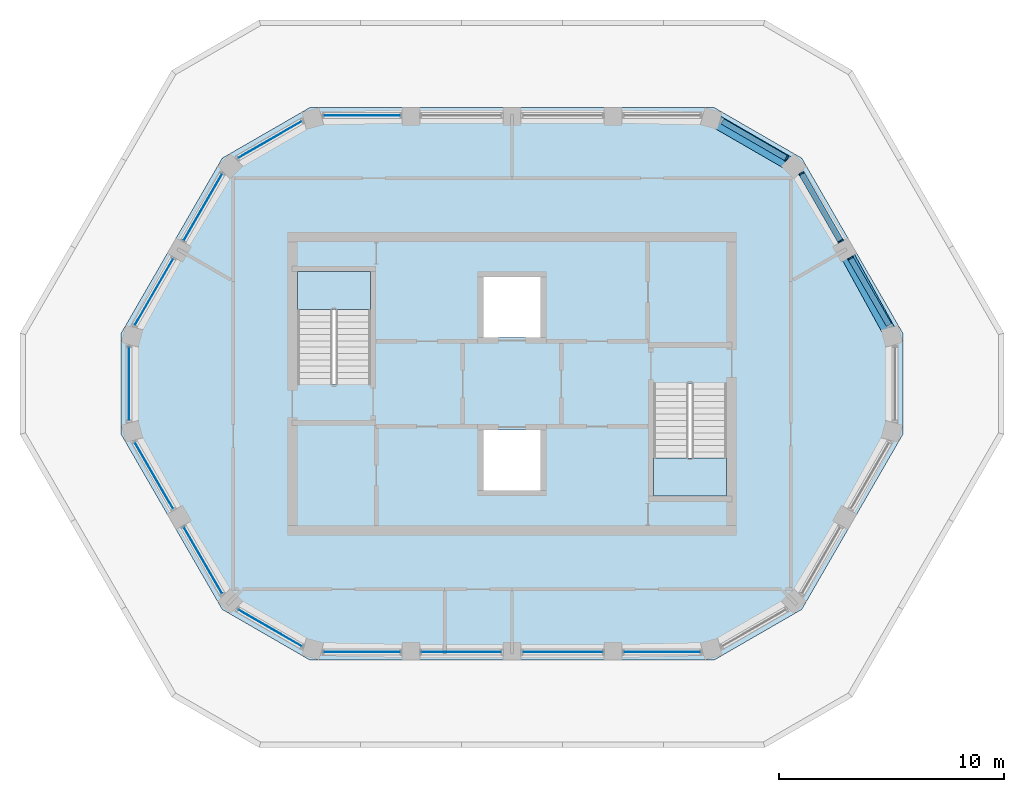
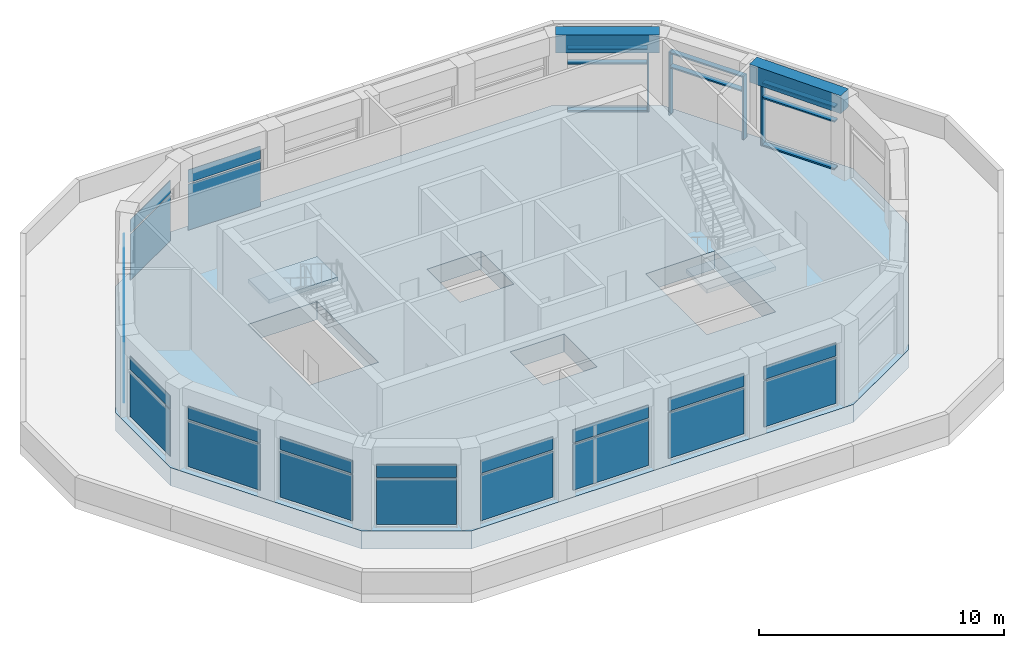
# One storey, part 3 of 8: 24 plates, 12 members, 3 slabs, 2 beams, 17 elements without a shape of their own.
"""IFC4 building model written with IfcOpenShell, lengths in metres."""

from ifc_helpers import new_model, si_unit, direction, frame, origin, origin_2d, place, context, subcontext, project, spatial, polyline, rectangle, outline, extrude, material, layer, layer_set, material_profile, profile_set, type_object, element, aggregate, save


model = new_model("IFC4")

# Units and contexts
model_context = context("Model", 3, precision=1e-05, world=origin(), true_north=direction((0.0, 1.0)))
body_context = subcontext(model_context, "Body", "Model", "MODEL_VIEW")
ifc_project = project(units=[si_unit("LENGTHUNIT", "METRE"), si_unit("AREAUNIT", "SQUARE_METRE"), si_unit("VOLUMEUNIT", "CUBIC_METRE"), si_unit("PLANEANGLEUNIT", "RADIAN"), si_unit("MASSUNIT", "GRAM", prefix="KILO")], contexts=[model_context])

# Site, building, storey
site_placement = place(None, origin())
site = spatial("IfcSite", under=ifc_project, at=site_placement, CompositionType="ELEMENT")
building_placement = place(site_placement, origin())
building = spatial("IfcBuilding", under=site, at=building_placement, Name="Dhurran Vertical Campus", CompositionType="ELEMENT")
storey_placement = place(building_placement, frame((0.0, 0.0, 323.39990234375)))
storey = spatial("IfcBuildingStorey", under=building, at=storey_placement, Name="L79 Plant", CompositionType="ELEMENT", Elevation=323.39990234375)

# Curtain wall, member
ifc_material_1 = material(Name="Aluminium frame with solar-control glass", Category="aluminium")
ifc_layer_1 = layer(ifc_material_1, 0.260009765625)
ifc_layer_set_1 = layer_set([ifc_layer_1], Name="Aluminium frame with solar-control glass")
curtain_wall_type = type_object("IfcCurtainWallType", Name="Crown lantern glazing system", PredefinedType="NOTDEFINED", material=ifc_layer_set_1)
curtain_wall_1_placement = place(storey_placement, origin())
curtain_wall_1 = element("IfcCurtainWall", 1, at=curtain_wall_1_placement, inside=storey, type_object=curtain_wall_type, Name="CW6 L79.08", PredefinedType="NOTDEFINED")
ifc_material_2 = material(Name="Aluminium mullion", Category="aluminium")
ifc_material_profile_1 = material_profile(ifc_material_2, rectangle(XDim=0.260009765625, YDim=0.070068359375, at=origin_2d()), Name="Crown lantern glazing system mullion")
ifc_profile_set_1 = profile_set([ifc_material_profile_1], Name="Aluminium mullion")
member_type_1 = type_object("IfcMemberType", Name="Crown lantern glazing system mullion", PredefinedType="MULLION", material=ifc_profile_set_1)
member_1_placement = place(storey_placement, frame((15.061767578125, 5.594970703125, 0.0), z_axis=(0.0, 0.0, 1.0), x_axis=(-0.866030372825, -0.499991393271, 0.0)))
member_1 = element("IfcMember", 2, at=member_1_placement, type_object=member_type_1, Name="CW6 mullion 2", PredefinedType="MULLION", context=body_context, shape_type="SweptSolid", body=[
    extrude(rectangle(XDim=0.260009765625, YDim=0.070068359375, at=origin_2d()), origin(), (0.0, 0.0, 1.0), 3.150146484375),
])

# Curtain wall, members
curtain_wall_2_placement = place(storey_placement, origin())
curtain_wall_2 = element("IfcCurtainWall", 3, at=curtain_wall_2_placement, inside=storey, type_object=curtain_wall_type, Name="CW6 L79.09", PredefinedType="NOTDEFINED")
member_2_placement = place(storey_placement, frame((14.626220703125, 6.349365234375, 0.0), z_axis=(0.0, 0.0, 1.0), x_axis=(-0.866016292778, -0.500015780395, 0.0)))
member_2 = element("IfcMember", 4, at=member_2_placement, type_object=member_type_1, Name="CW6 mullion 1", PredefinedType="MULLION", context=body_context, shape_type="SweptSolid", body=[
    extrude(rectangle(XDim=0.260009765625, YDim=0.070068359375, at=origin_2d()), origin(), (0.0, 0.0, 1.0), 3.150146484375),
])
member_3_placement = place(storey_placement, frame((12.8857421875, 9.364013671875, 0.0), z_axis=(0.0, 0.0, 1.0), x_axis=(-0.866016292778, -0.500015780395, 0.0)))
member_3 = element("IfcMember", 5, at=member_3_placement, type_object=member_type_1, Name="CW6 mullion 2", PredefinedType="MULLION", context=body_context, shape_type="SweptSolid", body=[
    extrude(rectangle(XDim=0.260009765625, YDim=0.070068359375, at=origin_2d()), origin(), (0.0, 0.0, 1.0), 3.150146484375),
])

# Curtain wall, member
curtain_wall_3_placement = place(storey_placement, origin())
curtain_wall_3 = element("IfcCurtainWall", 6, at=curtain_wall_3_placement, inside=storey, type_object=curtain_wall_type, Name="CW6 L79.10", PredefinedType="NOTDEFINED")
member_4_placement = place(storey_placement, frame((12.217041015625, 10.03271484375, 0.0), z_axis=(0.0, 0.0, 1.0), x_axis=(-0.499991203395, -0.866030482447, 0.0)))
member_4 = element("IfcMember", 7, at=member_4_placement, type_object=member_type_1, Name="CW6 mullion 1", PredefinedType="MULLION", context=body_context, shape_type="SweptSolid", body=[
    extrude(rectangle(XDim=0.260009765625, YDim=0.070068359375, at=origin_2d()), origin(), (0.0, 0.0, 1.0), 3.150146484375),
])

# Member
ifc_material_3 = material(Name="Aluminium transom", Category="aluminium")
ifc_material_profile_2 = material_profile(ifc_material_3, rectangle(XDim=0.260009765625, YDim=0.070068359375, at=origin_2d()), Name="Crown lantern glazing system transom")
ifc_profile_set_2 = profile_set([ifc_material_profile_2], Name="Aluminium transom")
member_type_2 = type_object("IfcMemberType", Name="Crown lantern glazing system transom", PredefinedType="USERDEFINED", material=ifc_profile_set_2)
member_5_placement = place(storey_placement, frame((16.784912109375, 2.6103515625, 0.03515625), z_axis=(-0.499972324094, 0.866041381887, 0.0), x_axis=(-0.866041381887, -0.499972324094, 0.0)))
member_5 = element("IfcMember", 8, at=member_5_placement, type_object=member_type_2, Name="CW6 transom 1.1", ObjectType="TRANSOM", PredefinedType="USERDEFINED", context=body_context, shape_type="SweptSolid", body=[
    extrude(rectangle(XDim=0.260009765625, YDim=0.070068359375, at=origin_2d()), origin(), (0.0, 0.0, 1.0), 3.411376953125),
])

member_6_placement = place(storey_placement, frame((16.784912109375, 2.6103515625, 2.400146484375), z_axis=(-0.499972324094, 0.866041381887, 0.0), x_axis=(-0.866041381887, -0.499972324094, 0.0)))
member_6 = element("IfcMember", 9, at=member_6_placement, type_object=member_type_2, Name="CW6 transom 1.2", ObjectType="TRANSOM", PredefinedType="USERDEFINED", context=body_context, shape_type="SweptSolid", body=[
    extrude(rectangle(XDim=0.260009765625, YDim=0.070068359375, at=origin_2d()), origin(), (0.0, 0.0, 1.0), 3.411376953125),
])

member_7_placement = place(storey_placement, frame((16.784912109375, 2.6103515625, 3.114990234375), z_axis=(-0.499972324094, 0.866041381887, 0.0), x_axis=(-0.866041381887, -0.499972324094, 0.0)))
member_7 = element("IfcMember", 10, at=member_7_placement, type_object=member_type_2, Name="CW6 transom 1.3", ObjectType="TRANSOM", PredefinedType="USERDEFINED", context=body_context, shape_type="SweptSolid", body=[
    extrude(rectangle(XDim=0.260009765625, YDim=0.070068359375, at=origin_2d()), origin(), (0.0, 0.0, 1.0), 3.411376953125),
])

aggregate(curtain_wall_1, [member_1, member_5, member_6, member_7])

member_8_placement = place(storey_placement, frame((14.60888671875, 6.379638671875, 2.400146484375), z_axis=(-0.500003314297, 0.866023490266, 0.0), x_axis=(-0.866023490266, -0.500003314297, 0.0)))
member_8 = element("IfcMember", 11, at=member_8_placement, type_object=member_type_2, Name="CW6 transom 1.2", ObjectType="TRANSOM", PredefinedType="USERDEFINED", context=body_context, shape_type="SweptSolid", body=[
    extrude(rectangle(XDim=0.260009765625, YDim=0.070068359375, at=origin_2d()), origin(), (0.0, 0.0, 1.0), 3.4111328125),
])

member_9_placement = place(storey_placement, frame((14.60888671875, 6.379638671875, 3.114990234375), z_axis=(-0.500003314297, 0.866023490266, 0.0), x_axis=(-0.866023490266, -0.500003314297, 0.0)))
member_9 = element("IfcMember", 12, at=member_9_placement, type_object=member_type_2, Name="CW6 transom 1.3", ObjectType="TRANSOM", PredefinedType="USERDEFINED", context=body_context, shape_type="SweptSolid", body=[
    extrude(rectangle(XDim=0.260009765625, YDim=0.070068359375, at=origin_2d()), origin(), (0.0, 0.0, 1.0), 3.4111328125),
])

aggregate(curtain_wall_2, [member_2, member_3, member_8, member_9])

member_10_placement = place(storey_placement, frame((12.186767578125, 10.05029296875, 0.03515625), z_axis=(-0.866057278891, 0.499944786631, 0.0), x_axis=(-0.499944786631, -0.866057278891, 0.0)))
member_10 = element("IfcMember", 13, at=member_10_placement, type_object=member_type_2, Name="CW6 transom 1.1", ObjectType="TRANSOM", PredefinedType="USERDEFINED", context=body_context, shape_type="SweptSolid", body=[
    extrude(rectangle(XDim=0.260009765625, YDim=0.070068359375, at=origin_2d()), origin(), (0.0, 0.0, 1.0), 3.263427734375),
])

member_11_placement = place(storey_placement, frame((12.186767578125, 10.05029296875, 2.400146484375), z_axis=(-0.866057278891, 0.499944786631, 0.0), x_axis=(-0.499944786631, -0.866057278891, 0.0)))
member_11 = element("IfcMember", 14, at=member_11_placement, type_object=member_type_2, Name="CW6 transom 1.2", ObjectType="TRANSOM", PredefinedType="USERDEFINED", context=body_context, shape_type="SweptSolid", body=[
    extrude(rectangle(XDim=0.260009765625, YDim=0.070068359375, at=origin_2d()), origin(), (0.0, 0.0, 1.0), 3.263427734375),
])

member_12_placement = place(storey_placement, frame((12.186767578125, 10.05029296875, 3.114990234375), z_axis=(-0.866057278891, 0.499944786631, 0.0), x_axis=(-0.499944786631, -0.866057278891, 0.0)))
member_12 = element("IfcMember", 15, at=member_12_placement, type_object=member_type_2, Name="CW6 transom 1.3", ObjectType="TRANSOM", PredefinedType="USERDEFINED", context=body_context, shape_type="SweptSolid", body=[
    extrude(rectangle(XDim=0.260009765625, YDim=0.070068359375, at=origin_2d()), origin(), (0.0, 0.0, 1.0), 3.263427734375),
])

aggregate(curtain_wall_3, [member_4, member_10, member_11, member_12])

# Beams
ifc_material_4 = material(Name="Concrete C40/50", Category="concrete")
ifc_material_profile_3 = material_profile(ifc_material_4, rectangle(XDim=0.60009765625, YDim=0.89990234375, at=origin_2d()), Name="cr/beam/edge")
ifc_profile_set_3 = profile_set([ifc_material_profile_3], Name="Concrete C40/50")
beam_type = type_object("IfcBeamType", Name="cr/beam/edge", PredefinedType="BEAM", material=ifc_profile_set_3)
beam_1_placement = place(storey_placement, frame((16.9072265625, 2.11865234375, 3.60009765625), z_axis=(-0.48206673495, 0.87613450055, 0.0), x_axis=(-0.87613450055, -0.48206673495, 0.0)))
element("IfcBeam", 16, at=beam_1_placement, inside=storey, type_object=beam_type, Name="Crown edge beam L79 9", PredefinedType="BEAM", context=body_context, shape_type="SweptSolid", body=[
    extrude(rectangle(XDim=0.60009765625, YDim=0.89990234375, at=origin_2d()), origin(), (0.0, 0.0, 1.0), 4.36962890625),
])
beam_2_placement = place(storey_placement, frame((12.53857421875, 9.685546875, 3.60009765625), z_axis=(-0.866043595944, 0.499968488931, 0.0), x_axis=(-0.499968488931, -0.866043595944, 0.0)))
element("IfcBeam", 17, at=beam_2_placement, inside=storey, type_object=beam_type, Name="Crown edge beam L79 11", PredefinedType="BEAM", context=body_context, shape_type="SweptSolid", body=[
    extrude(rectangle(XDim=0.60009765625, YDim=0.89990234375, at=origin_2d()), origin(), (0.0, 0.0, 1.0), 4.237548828125),
])

# Curtain wall, plates
curtain_wall_4_placement = place(storey_placement, origin())
curtain_wall_4 = element("IfcCurtainWall", 18, at=curtain_wall_4_placement, inside=storey, type_object=curtain_wall_type, Name="CW6 L79.00", PredefinedType="NOTDEFINED")
ifc_material_5 = material(Name="Clear solar-control glass", Category="glass")
ifc_layer_2 = layer(ifc_material_5, 0.028076171875)
ifc_layer_set_2 = layer_set([ifc_layer_2], Name="Clear solar-control glass")
plate_type = type_object("IfcPlateType", Name="Crown lantern glazing system panel", PredefinedType="CURTAIN_PANEL", material=ifc_layer_set_2)
plate_1_placement = place(storey_placement, frame((-6.676025390625, -11.944091796875, 0.070068359375), z_axis=(0.0, 0.0, 1.0), x_axis=(1.0, 0.0, 0.0)))
plate_1 = element("IfcPlate", 19, at=plate_1_placement, type_object=plate_type, Name="CW6 panel 1.1", PredefinedType="CURTAIN_PANEL", context=body_context, shape_type="SweptSolid", body=[
    extrude(rectangle(XDim=3.4111328125, YDim=0.028076171875, at=origin_2d()), origin(), (0.0, 0.0, 1.0), 2.294921875),
])
plate_2_placement = place(storey_placement, frame((-6.676025390625, -11.944091796875, 2.43505859375), z_axis=(0.0, 0.0, 1.0), x_axis=(1.0, 0.0, 0.0)))
plate_2 = element("IfcPlate", 20, at=plate_2_placement, type_object=plate_type, Name="CW6 panel 1.2", PredefinedType="CURTAIN_PANEL", context=body_context, shape_type="SweptSolid", body=[
    extrude(rectangle(XDim=3.4111328125, YDim=0.028076171875, at=origin_2d()), origin(), (0.0, 0.0, 1.0), 0.64501953125),
])
aggregate(curtain_wall_4, [plate_1, plate_2])

curtain_wall_5_placement = place(storey_placement, origin())
curtain_wall_5 = element("IfcCurtainWall", 21, at=curtain_wall_5_placement, inside=storey, type_object=curtain_wall_type, Name="CW6 L79.01", PredefinedType="NOTDEFINED")
plate_3_placement = place(storey_placement, frame((-2.25, -11.944091796875, 0.070068359375), z_axis=(0.0, 0.0, 1.0), x_axis=(1.0, 0.0, 0.0)))
plate_3 = element("IfcPlate", 22, at=plate_3_placement, type_object=plate_type, Name="CW6 panel 1.1", PredefinedType="CURTAIN_PANEL", context=body_context, shape_type="SweptSolid", body=[
    extrude(rectangle(XDim=3.55908203125, YDim=0.028076171875, at=origin_2d()), origin(), (0.0, 0.0, 1.0), 2.294921875),
])
plate_4_placement = place(storey_placement, frame((-2.25, -11.944091796875, 2.43505859375), z_axis=(0.0, 0.0, 1.0), x_axis=(1.0, 0.0, 0.0)))
plate_4 = element("IfcPlate", 23, at=plate_4_placement, type_object=plate_type, Name="CW6 panel 1.2", PredefinedType="CURTAIN_PANEL", context=body_context, shape_type="SweptSolid", body=[
    extrude(rectangle(XDim=3.55908203125, YDim=0.028076171875, at=origin_2d()), origin(), (0.0, 0.0, 1.0), 0.64501953125),
])
aggregate(curtain_wall_5, [plate_3, plate_4])

curtain_wall_6_placement = place(storey_placement, origin())
curtain_wall_6 = element("IfcCurtainWall", 24, at=curtain_wall_6_placement, inside=storey, type_object=curtain_wall_type, Name="CW6 L79.02", PredefinedType="NOTDEFINED")
plate_5_placement = place(storey_placement, frame((2.25, -11.944091796875, 0.070068359375), z_axis=(0.0, 0.0, 1.0), x_axis=(1.0, 0.0, 0.0)))
plate_5 = element("IfcPlate", 25, at=plate_5_placement, type_object=plate_type, Name="CW6 panel 1.1", PredefinedType="CURTAIN_PANEL", context=body_context, shape_type="SweptSolid", body=[
    extrude(rectangle(XDim=3.55908203125, YDim=0.028076171875, at=origin_2d()), origin(), (0.0, 0.0, 1.0), 2.294921875),
])
plate_6_placement = place(storey_placement, frame((2.25, -11.944091796875, 2.43505859375), z_axis=(0.0, 0.0, 1.0), x_axis=(1.0, 0.0, 0.0)))
plate_6 = element("IfcPlate", 26, at=plate_6_placement, type_object=plate_type, Name="CW6 panel 1.2", PredefinedType="CURTAIN_PANEL", context=body_context, shape_type="SweptSolid", body=[
    extrude(rectangle(XDim=3.55908203125, YDim=0.028076171875, at=origin_2d()), origin(), (0.0, 0.0, 1.0), 0.64501953125),
])
aggregate(curtain_wall_6, [plate_5, plate_6])

curtain_wall_7_placement = place(storey_placement, origin())
curtain_wall_7 = element("IfcCurtainWall", 27, at=curtain_wall_7_placement, inside=storey, type_object=curtain_wall_type, Name="CW6 L79.03", PredefinedType="NOTDEFINED")
plate_7_placement = place(storey_placement, frame((6.676025390625, -11.944091796875, 0.070068359375), z_axis=(0.0, 0.0, 1.0), x_axis=(1.0, 0.0, 0.0)))
plate_7 = element("IfcPlate", 28, at=plate_7_placement, type_object=plate_type, Name="CW6 panel 1.1", PredefinedType="CURTAIN_PANEL", context=body_context, shape_type="SweptSolid", body=[
    extrude(rectangle(XDim=3.4111328125, YDim=0.028076171875, at=origin_2d()), origin(), (0.0, 0.0, 1.0), 2.294921875),
])
plate_8_placement = place(storey_placement, frame((6.676025390625, -11.944091796875, 2.43505859375), z_axis=(0.0, 0.0, 1.0), x_axis=(1.0, 0.0, 0.0)))
plate_8 = element("IfcPlate", 29, at=plate_8_placement, type_object=plate_type, Name="CW6 panel 1.2", PredefinedType="CURTAIN_PANEL", context=body_context, shape_type="SweptSolid", body=[
    extrude(rectangle(XDim=3.4111328125, YDim=0.028076171875, at=origin_2d()), origin(), (0.0, 0.0, 1.0), 0.64501953125),
])
aggregate(curtain_wall_7, [plate_7, plate_8])

curtain_wall_8_placement = place(storey_placement, origin())
curtain_wall_8 = element("IfcCurtainWall", 30, at=curtain_wall_8_placement, inside=storey, type_object=curtain_wall_type, Name="CW6 L79.14", PredefinedType="NOTDEFINED")
plate_9_placement = place(storey_placement, frame((-6.676025390625, 11.944091796875, 0.070068359375), z_axis=(0.0, 0.0, 1.0), x_axis=(-1.0, 0.0, 0.0)))
plate_9 = element("IfcPlate", 31, at=plate_9_placement, type_object=plate_type, Name="CW6 panel 1.1", PredefinedType="CURTAIN_PANEL", context=body_context, shape_type="SweptSolid", body=[
    extrude(rectangle(XDim=3.4111328125, YDim=0.028076171875, at=origin_2d()), origin(), (0.0, 0.0, 1.0), 2.294921875),
])
plate_10_placement = place(storey_placement, frame((-6.676025390625, 11.944091796875, 2.43505859375), z_axis=(0.0, 0.0, 1.0), x_axis=(-1.0, 0.0, 0.0)))
plate_10 = element("IfcPlate", 32, at=plate_10_placement, type_object=plate_type, Name="CW6 panel 1.2", PredefinedType="CURTAIN_PANEL", context=body_context, shape_type="SweptSolid", body=[
    extrude(rectangle(XDim=3.4111328125, YDim=0.028076171875, at=origin_2d()), origin(), (0.0, 0.0, 1.0), 0.64501953125),
])
aggregate(curtain_wall_8, [plate_9, plate_10])

curtain_wall_9_placement = place(storey_placement, origin())
curtain_wall_9 = element("IfcCurtainWall", 33, at=curtain_wall_9_placement, inside=storey, type_object=curtain_wall_type, Name="CW6 L79.15", PredefinedType="NOTDEFINED")
plate_11_placement = place(storey_placement, frame((-10.7734375, 10.8662109375, 0.070068359375), z_axis=(0.0, 0.0, 1.0), x_axis=(-0.866030482447, -0.499991203395, 0.0)))
plate_11 = element("IfcPlate", 34, at=plate_11_placement, type_object=plate_type, Name="CW6 panel 1.1", PredefinedType="CURTAIN_PANEL", context=body_context, shape_type="SweptSolid", body=[
    extrude(rectangle(XDim=3.263427734375, YDim=0.028076171875, at=origin_2d()), origin(), (0.0, 0.0, 1.0), 2.294921875),
])
plate_12_placement = place(storey_placement, frame((-10.7734375, 10.8662109375, 2.43505859375), z_axis=(0.0, 0.0, 1.0), x_axis=(-0.866030482447, -0.499991203395, 0.0)))
plate_12 = element("IfcPlate", 35, at=plate_12_placement, type_object=plate_type, Name="CW6 panel 1.2", PredefinedType="CURTAIN_PANEL", context=body_context, shape_type="SweptSolid", body=[
    extrude(rectangle(XDim=3.263427734375, YDim=0.028076171875, at=origin_2d()), origin(), (0.0, 0.0, 1.0), 0.64501953125),
])
aggregate(curtain_wall_9, [plate_11, plate_12])

curtain_wall_10_placement = place(storey_placement, origin())
curtain_wall_10 = element("IfcCurtainWall", 36, at=curtain_wall_10_placement, inside=storey, type_object=curtain_wall_type, Name="CW6 L79.16", PredefinedType="NOTDEFINED")
plate_13_placement = place(storey_placement, frame((-13.756103515625, 7.856689453125, 0.070068359375), z_axis=(0.0, 0.0, 1.0), x_axis=(-0.500015780395, -0.866016292778, 0.0)))
plate_13 = element("IfcPlate", 37, at=plate_13_placement, type_object=plate_type, Name="CW6 panel 1.1", PredefinedType="CURTAIN_PANEL", context=body_context, shape_type="SweptSolid", body=[
    extrude(rectangle(XDim=3.4111328125, YDim=0.028076171875, at=origin_2d()), origin(), (0.0, 0.0, 1.0), 2.294921875),
])
plate_14_placement = place(storey_placement, frame((-13.756103515625, 7.856689453125, 2.43505859375), z_axis=(0.0, 0.0, 1.0), x_axis=(-0.500015780395, -0.866016292778, 0.0)))
plate_14 = element("IfcPlate", 38, at=plate_14_placement, type_object=plate_type, Name="CW6 panel 1.2", PredefinedType="CURTAIN_PANEL", context=body_context, shape_type="SweptSolid", body=[
    extrude(rectangle(XDim=3.4111328125, YDim=0.028076171875, at=origin_2d()), origin(), (0.0, 0.0, 1.0), 0.64501953125),
])
aggregate(curtain_wall_10, [plate_13, plate_14])

curtain_wall_11_placement = place(storey_placement, origin())
curtain_wall_11 = element("IfcCurtainWall", 39, at=curtain_wall_11_placement, inside=storey, type_object=curtain_wall_type, Name="CW6 L79.17", PredefinedType="NOTDEFINED")
plate_15_placement = place(storey_placement, frame((-15.93212890625, 4.087646484375, 0.070068359375), z_axis=(0.0, 0.0, 1.0), x_axis=(-0.499991393271, -0.866030372825, 0.0)))
plate_15 = element("IfcPlate", 40, at=plate_15_placement, type_object=plate_type, Name="CW6 panel 1.1", PredefinedType="CURTAIN_PANEL", context=body_context, shape_type="SweptSolid", body=[
    extrude(rectangle(XDim=3.411376953125, YDim=0.028076171875, at=origin_2d()), origin(), (0.0, 0.0, 1.0), 2.294921875),
])
plate_16_placement = place(storey_placement, frame((-15.93212890625, 4.087646484375, 2.43505859375), z_axis=(0.0, 0.0, 1.0), x_axis=(-0.499991393271, -0.866030372825, 0.0)))
plate_16 = element("IfcPlate", 41, at=plate_16_placement, type_object=plate_type, Name="CW6 panel 1.2", PredefinedType="CURTAIN_PANEL", context=body_context, shape_type="SweptSolid", body=[
    extrude(rectangle(XDim=3.411376953125, YDim=0.028076171875, at=origin_2d()), origin(), (0.0, 0.0, 1.0), 0.64501953125),
])
aggregate(curtain_wall_11, [plate_15, plate_16])

curtain_wall_12_placement = place(storey_placement, origin())
curtain_wall_12 = element("IfcCurtainWall", 42, at=curtain_wall_12_placement, inside=storey, type_object=curtain_wall_type, Name="CW6 L79.18", PredefinedType="NOTDEFINED")
plate_17_placement = place(storey_placement, frame((-17.047119140625, 0.0, 0.070068359375), z_axis=(0.0, 0.0, 1.0), x_axis=(0.0, -1.0, 0.0)))
plate_17 = element("IfcPlate", 43, at=plate_17_placement, type_object=plate_type, Name="CW6 panel 1.1", PredefinedType="CURTAIN_PANEL", context=body_context, shape_type="SweptSolid", body=[
    extrude(rectangle(XDim=3.26318359375, YDim=0.028076171875, at=origin_2d()), origin(), (0.0, 0.0, 1.0), 2.294921875),
])
plate_18_placement = place(storey_placement, frame((-17.047119140625, 0.0, 2.43505859375), z_axis=(0.0, 0.0, 1.0), x_axis=(0.0, -1.0, 0.0)))
plate_18 = element("IfcPlate", 44, at=plate_18_placement, type_object=plate_type, Name="CW6 panel 1.2", PredefinedType="CURTAIN_PANEL", context=body_context, shape_type="SweptSolid", body=[
    extrude(rectangle(XDim=3.26318359375, YDim=0.028076171875, at=origin_2d()), origin(), (0.0, 0.0, 1.0), 0.64501953125),
])
aggregate(curtain_wall_12, [plate_17, plate_18])

curtain_wall_13_placement = place(storey_placement, origin())
curtain_wall_13 = element("IfcCurtainWall", 45, at=curtain_wall_13_placement, inside=storey, type_object=curtain_wall_type, Name="CW6 L79.19", PredefinedType="NOTDEFINED")
plate_19_placement = place(storey_placement, frame((-15.93212890625, -4.087646484375, 0.070068359375), z_axis=(0.0, 0.0, 1.0), x_axis=(0.499991393271, -0.866030372825, 0.0)))
plate_19 = element("IfcPlate", 46, at=plate_19_placement, type_object=plate_type, Name="CW6 panel 1.1", PredefinedType="CURTAIN_PANEL", context=body_context, shape_type="SweptSolid", body=[
    extrude(rectangle(XDim=3.411376953125, YDim=0.028076171875, at=origin_2d()), origin(), (0.0, 0.0, 1.0), 2.294921875),
])
plate_20_placement = place(storey_placement, frame((-15.93212890625, -4.087646484375, 2.43505859375), z_axis=(0.0, 0.0, 1.0), x_axis=(0.499991393271, -0.866030372825, 0.0)))
plate_20 = element("IfcPlate", 47, at=plate_20_placement, type_object=plate_type, Name="CW6 panel 1.2", PredefinedType="CURTAIN_PANEL", context=body_context, shape_type="SweptSolid", body=[
    extrude(rectangle(XDim=3.411376953125, YDim=0.028076171875, at=origin_2d()), origin(), (0.0, 0.0, 1.0), 0.64501953125),
])
aggregate(curtain_wall_13, [plate_19, plate_20])

curtain_wall_14_placement = place(storey_placement, origin())
curtain_wall_14 = element("IfcCurtainWall", 48, at=curtain_wall_14_placement, inside=storey, type_object=curtain_wall_type, Name="CW6 L79.20", PredefinedType="NOTDEFINED")
plate_21_placement = place(storey_placement, frame((-13.756103515625, -7.856689453125, 0.070068359375), z_axis=(0.0, 0.0, 1.0), x_axis=(0.500015780395, -0.866016292778, 0.0)))
plate_21 = element("IfcPlate", 49, at=plate_21_placement, type_object=plate_type, Name="CW6 panel 1.1", PredefinedType="CURTAIN_PANEL", context=body_context, shape_type="SweptSolid", body=[
    extrude(rectangle(XDim=3.4111328125, YDim=0.028076171875, at=origin_2d()), origin(), (0.0, 0.0, 1.0), 2.294921875),
])
plate_22_placement = place(storey_placement, frame((-13.756103515625, -7.856689453125, 2.43505859375), z_axis=(0.0, 0.0, 1.0), x_axis=(0.500015780395, -0.866016292778, 0.0)))
plate_22 = element("IfcPlate", 50, at=plate_22_placement, type_object=plate_type, Name="CW6 panel 1.2", PredefinedType="CURTAIN_PANEL", context=body_context, shape_type="SweptSolid", body=[
    extrude(rectangle(XDim=3.4111328125, YDim=0.028076171875, at=origin_2d()), origin(), (0.0, 0.0, 1.0), 0.64501953125),
])
aggregate(curtain_wall_14, [plate_21, plate_22])

curtain_wall_15_placement = place(storey_placement, origin())
curtain_wall_15 = element("IfcCurtainWall", 51, at=curtain_wall_15_placement, inside=storey, type_object=curtain_wall_type, Name="CW6 L79.21", PredefinedType="NOTDEFINED")
plate_23_placement = place(storey_placement, frame((-10.7734375, -10.8662109375, 0.070068359375), z_axis=(0.0, 0.0, 1.0), x_axis=(0.866030482447, -0.499991203395, 0.0)))
plate_23 = element("IfcPlate", 52, at=plate_23_placement, type_object=plate_type, Name="CW6 panel 1.1", PredefinedType="CURTAIN_PANEL", context=body_context, shape_type="SweptSolid", body=[
    extrude(rectangle(XDim=3.263427734375, YDim=0.028076171875, at=origin_2d()), origin(), (0.0, 0.0, 1.0), 2.294921875),
])
plate_24_placement = place(storey_placement, frame((-10.7734375, -10.8662109375, 2.43505859375), z_axis=(0.0, 0.0, 1.0), x_axis=(0.866030482447, -0.499991203395, 0.0)))
plate_24 = element("IfcPlate", 53, at=plate_24_placement, type_object=plate_type, Name="CW6 panel 1.2", PredefinedType="CURTAIN_PANEL", context=body_context, shape_type="SweptSolid", body=[
    extrude(rectangle(XDim=3.263427734375, YDim=0.028076171875, at=origin_2d()), origin(), (0.0, 0.0, 1.0), 0.64501953125),
])
aggregate(curtain_wall_15, [plate_23, plate_24])

# Stair, slab
ifc_material_6 = material(Name="Concrete C40/50", Category="concrete")
stair_type = type_object("IfcStairType", Name="co-ST-CORE", PredefinedType="HALF_TURN_STAIR", material=ifc_material_6)
stair_1_placement = place(storey_placement, origin())
stair_1 = element("IfcStair", 54, at=stair_1_placement, inside=storey, type_object=stair_type, Name="L79 Plant Protected exit stair ST5", PredefinedType="HALF_TURN_STAIR")
ifc_material_7 = material(Name="Concrete C40/50", Category="concrete")
ifc_layer_3 = layer(ifc_material_7, 0.199951171875)
ifc_layer_set_3 = layer_set([ifc_layer_3], Name="Concrete C40/50")
slab_type_1 = type_object("IfcSlabType", Name="co-SL-LANDING", PredefinedType="LANDING", material=ifc_layer_set_3)
slab_1_placement = place(storey_placement, frame((0.0, 0.0, 2.050048828125)))
slab_1 = element("IfcSlab", 55, at=slab_1_placement, type_object=slab_type_1, Name="ST5 landing 1", PredefinedType="LANDING", context=body_context, shape_type="SweptSolid", body=[
    extrude(outline(polyline([(-6.300048828125, 3.31005859375), (-6.300048828125, 5.0), (-9.550048828125, 5.0), (-9.550048828125, 3.31005859375), (-6.300048828125, 3.31005859375)])), origin(), (0.0, 0.0, 1.0), 0.199951171875),
])
aggregate(stair_1, [slab_1])

stair_2_placement = place(storey_placement, origin())
stair_2 = element("IfcStair", 56, at=stair_2_placement, inside=storey, type_object=stair_type, Name="L79 Plant Protected exit stair ST6", PredefinedType="HALF_TURN_STAIR")
slab_2_placement = place(storey_placement, frame((0.0, 0.0, 2.050048828125)))
slab_2 = element("IfcSlab", 57, at=slab_2_placement, type_object=slab_type_1, Name="ST6 landing 1", PredefinedType="LANDING", context=body_context, shape_type="SweptSolid", body=[
    extrude(outline(polyline([(6.300048828125, -3.31005859375), (6.300048828125, -5.0), (9.550048828125, -5.0), (9.550048828125, -3.31005859375), (6.300048828125, -3.31005859375)])), origin(), (0.0, 0.0, 1.0), 0.199951171875),
])
aggregate(stair_2, [slab_2])

# Slab
ifc_material_8 = material(Name="Concrete C40/50", Category="concrete")
ifc_layer_4 = layer(ifc_material_8, 0.89990234375)
ifc_layer_set_4 = layer_set([ifc_layer_4], Name="Concrete C40/50")
slab_type_2 = type_object("IfcSlabType", Name="cr/slab/deck", PredefinedType="FLOOR", material=ifc_layer_set_4)
slab_3_placement = place(storey_placement, frame((0.0, 0.0, -0.89990234375)))
element("IfcSlab", 58, at=slab_3_placement, inside=storey, type_object=slab_type_2, Name="Crown slab L79", PredefinedType="FLOOR", context=body_context, shape_type="SweptSolid", body=[
    extrude(outline(polyline([(-9.0, -12.2939453125), (9.0, -12.2939453125), (12.89697265625, -10.0439453125), (17.39697265625, -2.25), (17.39697265625, 2.25), (12.89697265625, 10.0439453125), (9.0, 12.2939453125), (-9.0, 12.2939453125), (-12.89697265625, 10.0439453125), (-17.39697265625, 2.25), (-17.39697265625, -2.25), (-12.89697265625, -10.0439453125), (-9.0, -12.2939453125)]), holes=[polyline([(-1.27490234375, 4.75), (1.27490234375, 4.75), (1.27490234375, 2.050048828125), (-1.27490234375, 2.050048828125), (-1.27490234375, 4.75)]), polyline([(-1.27490234375, -2.050048828125), (1.27490234375, -2.050048828125), (1.27490234375, -4.75), (-1.27490234375, -4.75), (-1.27490234375, -2.050048828125)]), polyline([(-9.550048828125, 5.0), (-6.300048828125, 5.0), (-6.300048828125, 0.0), (-9.550048828125, 0.0), (-9.550048828125, 5.0)]), polyline([(6.300048828125, 0.0), (9.550048828125, 0.0), (9.550048828125, -5.0), (6.300048828125, -5.0), (6.300048828125, 0.0)])]), origin(), (0.0, 0.0, 1.0), 0.89990234375),
])

save(model, "model.ifc")
